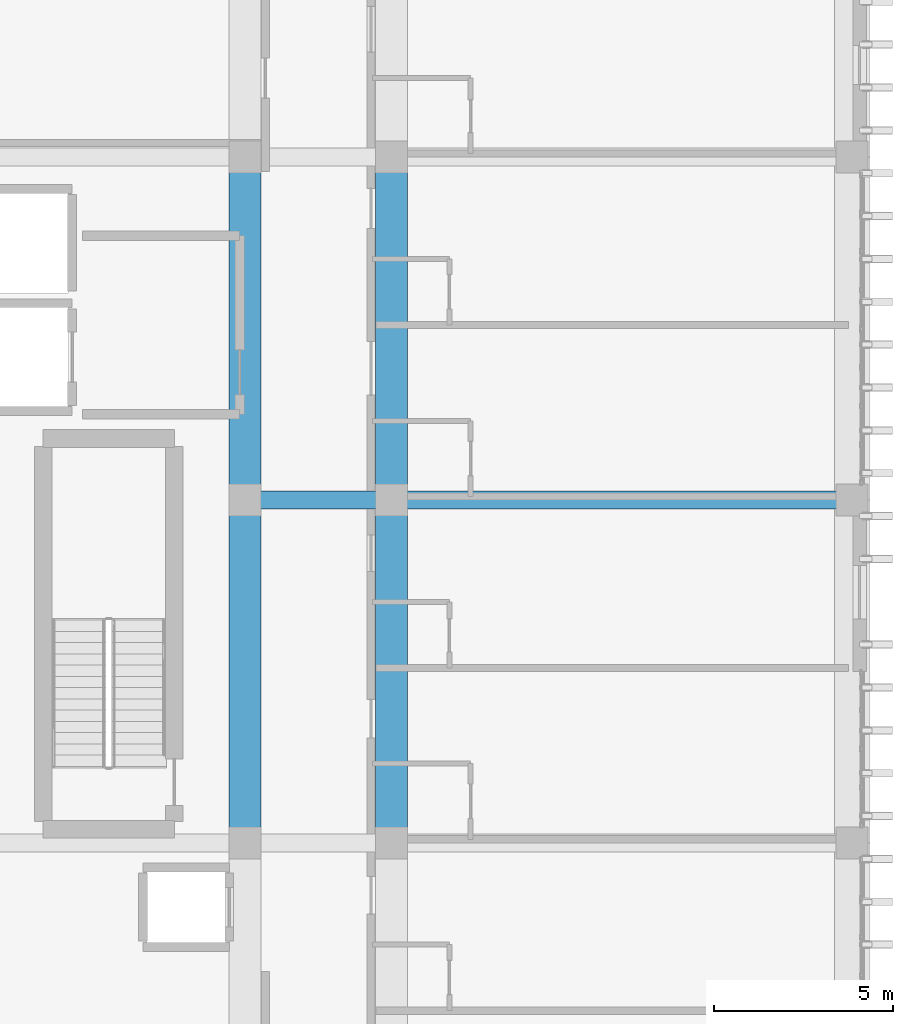
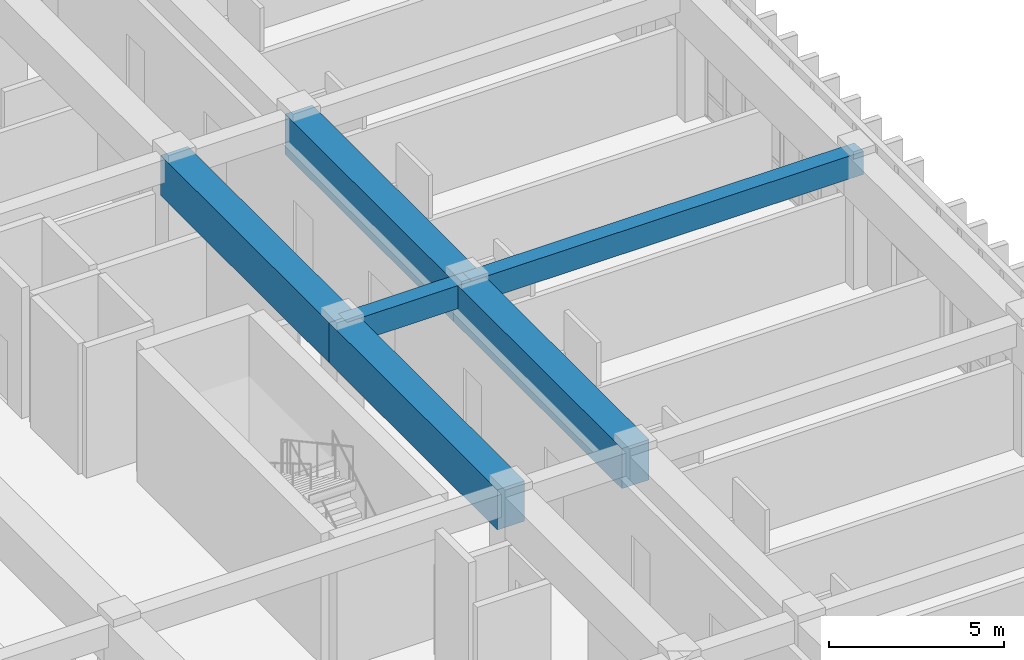
# One storey, part 47 of 101: 6 beams.
"""IFC4 building model written with IfcOpenShell, lengths in metres."""

from ifc_helpers import new_model, si_unit, direction, frame, origin, origin_2d, place, context, subcontext, project, spatial, rectangle, extrude, material, material_profile, profile_set, type_object, element, save


model = new_model("IFC4")

# Units and contexts
model_context = context("Model", 3, precision=1e-05, world=origin(), true_north=direction((0.0, 1.0)))
body_context = subcontext(model_context, "Body", "Model", "MODEL_VIEW")
ifc_project = project(units=[si_unit("LENGTHUNIT", "METRE"), si_unit("AREAUNIT", "SQUARE_METRE"), si_unit("VOLUMEUNIT", "CUBIC_METRE"), si_unit("PLANEANGLEUNIT", "RADIAN"), si_unit("MASSUNIT", "GRAM", prefix="KILO")], contexts=[model_context])

# Site, building, storey
site_placement = place(None, origin())
site = spatial("IfcSite", under=ifc_project, at=site_placement, CompositionType="ELEMENT")
building_placement = place(site_placement, origin())
building = spatial("IfcBuilding", under=site, at=building_placement, Name="Nakhvara Creek Congress Hotel", CompositionType="ELEMENT")
storey_placement = place(building_placement, frame((0.0, 0.0, 16.199951171875)))
storey = spatial("IfcBuildingStorey", under=building, at=storey_placement, Name="L03", CompositionType="ELEMENT", Elevation=16.199951171875)

# Beams
ifc_material_1 = material(Name="Concrete C40/50", Category="concrete")
ifc_material_profile_1 = material_profile(ifc_material_1, rectangle(XDim=0.5, YDim=0.800048828125, at=origin_2d()), Name="RC-BM 500x800", Category="LoadBearing")
ifc_profile_set_1 = profile_set([ifc_material_profile_1], Name="Concrete C40/50")
beam_type_1 = type_object("IfcBeamType", Name="BM-RC-500X800", PredefinedType="BEAM", material=ifc_profile_set_1)
beam_1_placement = place(storey_placement, frame((162.35009765625, 86.39990234375, 4.14013671875), z_axis=(1.0, 0.0, 0.0), x_axis=(0.0, 1.0, 0.0)))
element("IfcBeam", 1, at=beam_1_placement, inside=storey, type_object=beam_type_1, Name="Beam B03-L03-1863", PredefinedType="BEAM", context=body_context, shape_type="SweptSolid", body=[
    extrude(rectangle(XDim=0.5, YDim=0.800048828125, at=origin_2d()), origin(), (0.0, 0.0, 1.0), 4.099853515625),
])
beam_2_placement = place(storey_placement, frame((166.449951171875, 86.39990234375, 4.14013671875), z_axis=(1.0, 0.0, 0.0), x_axis=(0.0, 1.0, 0.0)))
element("IfcBeam", 2, at=beam_2_placement, inside=storey, type_object=beam_type_1, Name="Beam B03-L03-1888", PredefinedType="BEAM", context=body_context, shape_type="SweptSolid", body=[
    extrude(rectangle(XDim=0.5, YDim=0.800048828125, at=origin_2d()), origin(), (0.0, 0.0, 1.0), 12.900146484375),
])
ifc_material_2 = material(Name="Concrete C50/60", Category="concrete")
ifc_material_profile_2 = material_profile(ifc_material_2, rectangle(XDim=0.89990234375, YDim=1.39990234375, at=origin_2d()), Name="RC-TG 900x1400", Category="LoadBearing")
ifc_profile_set_2 = profile_set([ifc_material_profile_2], Name="Concrete C50/60")
beam_type_2 = type_object("IfcBeamType", Name="BM-TG1-1400", PredefinedType="BEAM", material=ifc_profile_set_2)
beam_3_placement = place(storey_placement, frame((162.35009765625, 76.800048828125, 3.840087890625), z_axis=(0.0, 1.0, 0.0), x_axis=(-1.0, 0.0, 0.0)))
element("IfcBeam", 3, at=beam_3_placement, inside=storey, type_object=beam_type_2, Name="Transfer Girder TG1-L03-1860", PredefinedType="BEAM", context=body_context, shape_type="SweptSolid", body=[
    extrude(rectangle(XDim=0.89990234375, YDim=1.39990234375, at=origin_2d()), origin(), (0.0, 0.0, 1.0), 9.599853515625),
])
beam_4_placement = place(storey_placement, frame((162.35009765625, 86.39990234375, 3.840087890625), z_axis=(0.0, 1.0, 0.0), x_axis=(-1.0, 0.0, 0.0)))
element("IfcBeam", 4, at=beam_4_placement, inside=storey, type_object=beam_type_2, Name="Transfer Girder TG1-L03-1862", PredefinedType="BEAM", context=body_context, shape_type="SweptSolid", body=[
    extrude(rectangle(XDim=0.89990234375, YDim=1.39990234375, at=origin_2d()), origin(), (0.0, 0.0, 1.0), 9.60009765625),
])
beam_5_placement = place(storey_placement, frame((166.449951171875, 76.800048828125, 3.840087890625), z_axis=(0.0, 1.0, 0.0), x_axis=(-1.0, 0.0, 0.0)))
element("IfcBeam", 5, at=beam_5_placement, inside=storey, type_object=beam_type_2, Name="Transfer Girder TG1-L03-1885", PredefinedType="BEAM", context=body_context, shape_type="SweptSolid", body=[
    extrude(rectangle(XDim=0.89990234375, YDim=1.39990234375, at=origin_2d()), origin(), (0.0, 0.0, 1.0), 9.599853515625),
])
beam_6_placement = place(storey_placement, frame((166.449951171875, 86.39990234375, 3.840087890625), z_axis=(0.0, 1.0, 0.0), x_axis=(-1.0, 0.0, 0.0)))
element("IfcBeam", 6, at=beam_6_placement, inside=storey, type_object=beam_type_2, Name="Transfer Girder TG1-L03-1887", PredefinedType="BEAM", context=body_context, shape_type="SweptSolid", body=[
    extrude(rectangle(XDim=0.89990234375, YDim=1.39990234375, at=origin_2d()), origin(), (0.0, 0.0, 1.0), 9.60009765625),
])

save(model, "model.ifc")
